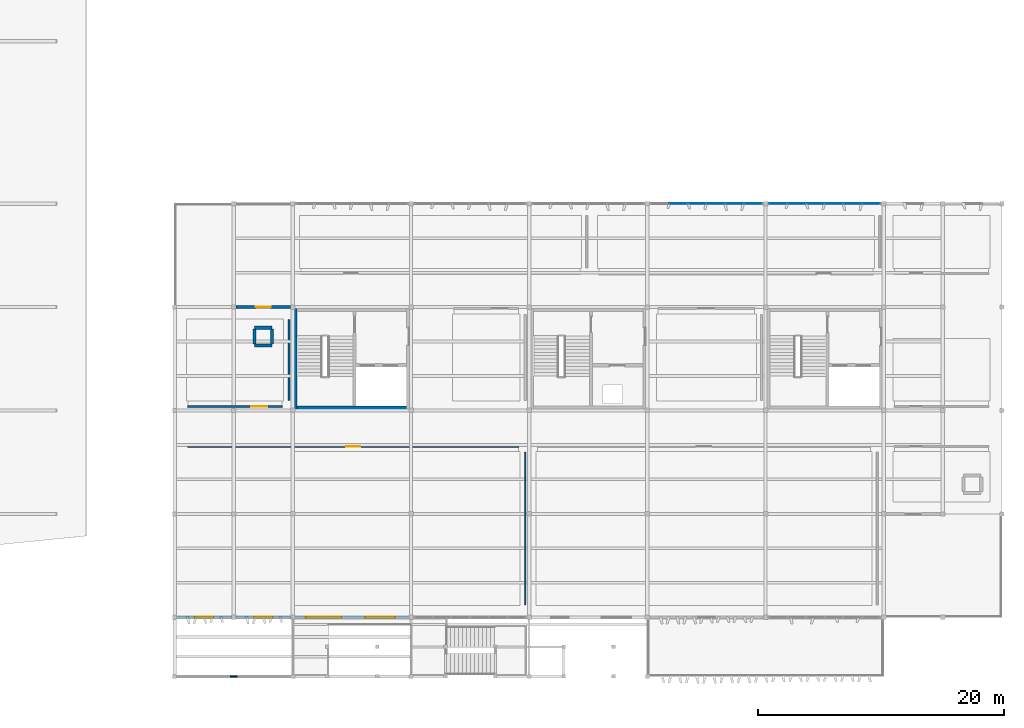
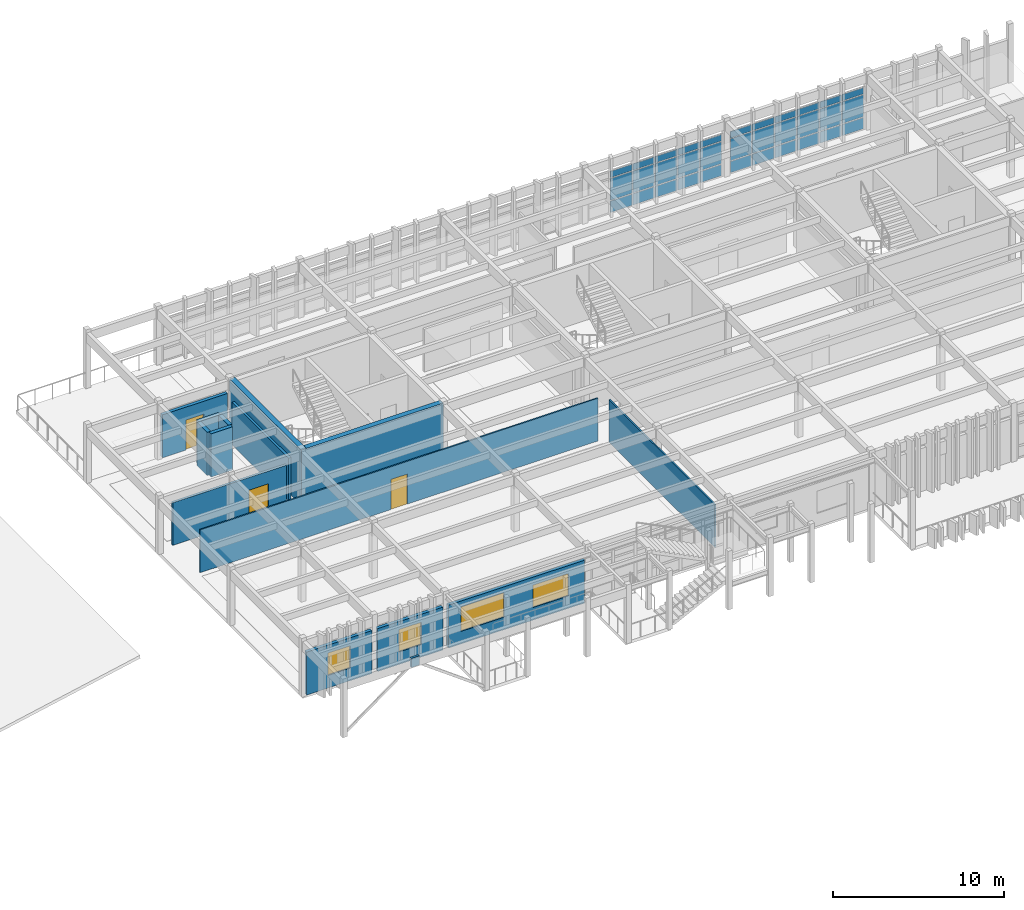
# One storey, part 13 of 18: 34 plates, 14 walls, 4 windows, 3 doors, 7 openings, 2 elements without a shape of their own.
"""IFC4 building model written with IfcOpenShell, lengths in metres."""

from ifc_helpers import new_model, si_unit, direction, frame, frame_2d, origin, origin_2d, place, context, subcontext, project, spatial, rectangle, extrude, material, layer, layer_set, type_object, element, fill, aggregate, save


model = new_model("IFC4")

# Units and contexts
model_context = context("Model", 3, precision=1e-05, world=origin(), true_north=direction((0.0, 1.0)))
body_context = subcontext(model_context, "Body", "Model", "MODEL_VIEW")
ifc_project = project(units=[si_unit("LENGTHUNIT", "METRE"), si_unit("AREAUNIT", "SQUARE_METRE"), si_unit("VOLUMEUNIT", "CUBIC_METRE"), si_unit("PLANEANGLEUNIT", "RADIAN"), si_unit("MASSUNIT", "GRAM", prefix="KILO")], contexts=[model_context])

# Site, building, storey
site_placement = place(None, origin())
site = spatial("IfcSite", under=ifc_project, at=site_placement, CompositionType="ELEMENT")
building_placement = place(site_placement, origin())
building = spatial("IfcBuilding", under=site, at=building_placement, Name="Kolvemor Railside Polytechnic", CompositionType="ELEMENT")
storey_placement = place(building_placement, frame((0.0, 0.0, 18.60009765625)))
storey = spatial("IfcBuildingStorey", under=building, at=storey_placement, Name="L04", CompositionType="ELEMENT", Elevation=18.60009765625)

# Curtain wall, plates
ifc_material_1 = material(Name="Anodised marine aluminium and laminated low-E glass", Category="aluminium")
ifc_layer_1 = layer(ifc_material_1, 0.179931640625, Name="CW-UNIT-STD")
ifc_layer_set_1 = layer_set([ifc_layer_1], Name="Anodised marine aluminium and laminated low-E glass")
curtain_wall_type = type_object("IfcCurtainWallType", Name="CW-UNIT-STD", PredefinedType="USERDEFINED", material=ifc_layer_set_1)
curtain_wall_1_placement = place(storey_placement, origin())
curtain_wall_1 = element("IfcCurtainWall", 1, at=curtain_wall_1_placement, inside=storey, type_object=curtain_wall_type, Name="Curtain Wall L04-134", ObjectType="UNITISED CURTAIN WALL", PredefinedType="USERDEFINED")
ifc_material_2 = material(Name="Hurricane-laminated solar-control low-E glass", Category="glass")
ifc_layer_2 = layer(ifc_material_2, 0.0380859375, Name="CWP-GLZ-09")
ifc_layer_set_2 = layer_set([ifc_layer_2], Name="Hurricane-laminated solar-control low-E glass")
plate_type_1 = type_object("IfcPlateType", Name="CWP-GLZ-09", PredefinedType="CURTAIN_PANEL", material=ifc_layer_set_2)
plate_1_placement = place(storey_placement, frame((104.583740234375, 38.39990234375, 0.06494140625), z_axis=(0.0, 0.0, 1.0), x_axis=(-1.0, 0.0, 0.0)))
plate_1 = element("IfcPlate", 2, at=plate_1_placement, type_object=plate_type_1, Name="CW-STD panel 1.1", PredefinedType="CURTAIN_PANEL", context=body_context, shape_type="SweptSolid", body=[
    extrude(rectangle(XDim=1.422607421875, YDim=0.0380859375, at=origin_2d()), origin(), (0.0, 0.0, 1.0), 0.802490234375),
])
plate_2_placement = place(storey_placement, frame((104.583740234375, 38.39990234375, 0.9326171875), z_axis=(0.0, 0.0, 1.0), x_axis=(-1.0, 0.0, 0.0)))
plate_2 = element("IfcPlate", 3, at=plate_2_placement, type_object=plate_type_1, Name="CW-STD panel 1.2", PredefinedType="CURTAIN_PANEL", context=body_context, shape_type="SweptSolid", body=[
    extrude(rectangle(XDim=1.422607421875, YDim=0.0380859375, at=origin_2d()), origin(), (0.0, 0.0, 1.0), 1.554931640625),
])
plate_3_placement = place(storey_placement, frame((104.583740234375, 38.39990234375, 2.55224609375), z_axis=(0.0, 0.0, 1.0), x_axis=(-1.0, 0.0, 0.0)))
plate_3 = element("IfcPlate", 4, at=plate_3_placement, type_object=plate_type_1, Name="CW-STD panel 1.3", PredefinedType="CURTAIN_PANEL", context=body_context, shape_type="SweptSolid", body=[
    extrude(rectangle(XDim=1.422607421875, YDim=0.0380859375, at=origin_2d()), origin(), (0.0, 0.0, 1.0), 0.452392578125),
])
plate_4_placement = place(storey_placement, frame((103.080078125, 38.39990234375, 0.06494140625), z_axis=(0.0, 0.0, 1.0), x_axis=(-1.0, 0.0, 0.0)))
plate_4 = element("IfcPlate", 5, at=plate_4_placement, type_object=plate_type_1, Name="CW-STD panel 2.1", PredefinedType="CURTAIN_PANEL", context=body_context, shape_type="SweptSolid", body=[
    extrude(rectangle(XDim=1.455078125, YDim=0.0380859375, at=origin_2d()), origin(), (0.0, 0.0, 1.0), 0.802490234375),
])
plate_5_placement = place(storey_placement, frame((103.080078125, 38.39990234375, 0.9326171875), z_axis=(0.0, 0.0, 1.0), x_axis=(-1.0, 0.0, 0.0)))
plate_5 = element("IfcPlate", 6, at=plate_5_placement, type_object=plate_type_1, Name="CW-STD panel 2.2", PredefinedType="CURTAIN_PANEL", context=body_context, shape_type="SweptSolid", body=[
    extrude(rectangle(XDim=1.455078125, YDim=0.0380859375, at=origin_2d()), origin(), (0.0, 0.0, 1.0), 1.554931640625),
])
plate_6_placement = place(storey_placement, frame((103.080078125, 38.39990234375, 2.55224609375), z_axis=(0.0, 0.0, 1.0), x_axis=(-1.0, 0.0, 0.0)))
plate_6 = element("IfcPlate", 7, at=plate_6_placement, type_object=plate_type_1, Name="CW-STD panel 2.3", PredefinedType="CURTAIN_PANEL", context=body_context, shape_type="SweptSolid", body=[
    extrude(rectangle(XDim=1.455078125, YDim=0.0380859375, at=origin_2d()), origin(), (0.0, 0.0, 1.0), 0.452392578125),
])
plate_7_placement = place(storey_placement, frame((101.56005859375, 38.39990234375, 0.06494140625), z_axis=(0.0, 0.0, 1.0), x_axis=(-1.0, 0.0, 0.0)))
plate_7 = element("IfcPlate", 8, at=plate_7_placement, type_object=plate_type_1, Name="CW-STD panel 3.1", PredefinedType="CURTAIN_PANEL", context=body_context, shape_type="SweptSolid", body=[
    extrude(rectangle(XDim=1.455078125, YDim=0.0380859375, at=origin_2d()), origin(), (0.0, 0.0, 1.0), 0.802490234375),
])
plate_8_placement = place(storey_placement, frame((101.56005859375, 38.39990234375, 0.9326171875), z_axis=(0.0, 0.0, 1.0), x_axis=(-1.0, 0.0, 0.0)))
plate_8 = element("IfcPlate", 9, at=plate_8_placement, type_object=plate_type_1, Name="CW-STD panel 3.2", PredefinedType="CURTAIN_PANEL", context=body_context, shape_type="SweptSolid", body=[
    extrude(rectangle(XDim=1.455078125, YDim=0.0380859375, at=origin_2d()), origin(), (0.0, 0.0, 1.0), 1.554931640625),
])
plate_9_placement = place(storey_placement, frame((101.56005859375, 38.39990234375, 2.55224609375), z_axis=(0.0, 0.0, 1.0), x_axis=(-1.0, 0.0, 0.0)))
plate_9 = element("IfcPlate", 10, at=plate_9_placement, type_object=plate_type_1, Name="CW-STD panel 3.3", PredefinedType="CURTAIN_PANEL", context=body_context, shape_type="SweptSolid", body=[
    extrude(rectangle(XDim=1.455078125, YDim=0.0380859375, at=origin_2d()), origin(), (0.0, 0.0, 1.0), 0.452392578125),
])
plate_10_placement = place(storey_placement, frame((100.0400390625, 38.39990234375, 0.06494140625), z_axis=(0.0, 0.0, 1.0), x_axis=(-1.0, 0.0, 0.0)))
plate_10 = element("IfcPlate", 11, at=plate_10_placement, type_object=plate_type_1, Name="CW-STD panel 4.1", PredefinedType="CURTAIN_PANEL", context=body_context, shape_type="SweptSolid", body=[
    extrude(rectangle(XDim=1.455078125, YDim=0.0380859375, at=origin_2d()), origin(), (0.0, 0.0, 1.0), 0.802490234375),
])
plate_11_placement = place(storey_placement, frame((100.0400390625, 38.39990234375, 0.9326171875), z_axis=(0.0, 0.0, 1.0), x_axis=(-1.0, 0.0, 0.0)))
plate_11 = element("IfcPlate", 12, at=plate_11_placement, type_object=plate_type_1, Name="CW-STD panel 4.2", PredefinedType="CURTAIN_PANEL", context=body_context, shape_type="SweptSolid", body=[
    extrude(rectangle(XDim=1.455078125, YDim=0.0380859375, at=origin_2d()), origin(), (0.0, 0.0, 1.0), 1.554931640625),
])
plate_12_placement = place(storey_placement, frame((100.0400390625, 38.39990234375, 2.55224609375), z_axis=(0.0, 0.0, 1.0), x_axis=(-1.0, 0.0, 0.0)))
plate_12 = element("IfcPlate", 13, at=plate_12_placement, type_object=plate_type_1, Name="CW-STD panel 4.3", PredefinedType="CURTAIN_PANEL", context=body_context, shape_type="SweptSolid", body=[
    extrude(rectangle(XDim=1.455078125, YDim=0.0380859375, at=origin_2d()), origin(), (0.0, 0.0, 1.0), 0.452392578125),
])
plate_13_placement = place(storey_placement, frame((98.52001953125, 38.39990234375, 0.06494140625), z_axis=(0.0, 0.0, 1.0), x_axis=(-1.0, 0.0, 0.0)))
plate_13 = element("IfcPlate", 14, at=plate_13_placement, type_object=plate_type_1, Name="CW-STD panel 5.1", PredefinedType="CURTAIN_PANEL", context=body_context, shape_type="SweptSolid", body=[
    extrude(rectangle(XDim=1.455078125, YDim=0.0380859375, at=origin_2d()), origin(), (0.0, 0.0, 1.0), 0.802490234375),
])
plate_14_placement = place(storey_placement, frame((98.52001953125, 38.39990234375, 0.9326171875), z_axis=(0.0, 0.0, 1.0), x_axis=(-1.0, 0.0, 0.0)))
plate_14 = element("IfcPlate", 15, at=plate_14_placement, type_object=plate_type_1, Name="CW-STD panel 5.2", PredefinedType="CURTAIN_PANEL", context=body_context, shape_type="SweptSolid", body=[
    extrude(rectangle(XDim=1.455078125, YDim=0.0380859375, at=origin_2d()), origin(), (0.0, 0.0, 1.0), 1.554931640625),
])
plate_15_placement = place(storey_placement, frame((98.52001953125, 38.39990234375, 2.55224609375), z_axis=(0.0, 0.0, 1.0), x_axis=(-1.0, 0.0, 0.0)))
plate_15 = element("IfcPlate", 16, at=plate_15_placement, type_object=plate_type_1, Name="CW-STD panel 5.3", PredefinedType="CURTAIN_PANEL", context=body_context, shape_type="SweptSolid", body=[
    extrude(rectangle(XDim=1.455078125, YDim=0.0380859375, at=origin_2d()), origin(), (0.0, 0.0, 1.0), 0.452392578125),
])
aggregate(curtain_wall_1, [plate_1, plate_2, plate_3, plate_4, plate_5, plate_6, plate_7, plate_8, plate_9, plate_10, plate_11, plate_12, plate_13, plate_14, plate_15])

curtain_wall_2_placement = place(storey_placement, origin())
curtain_wall_2 = element("IfcCurtainWall", 17, at=curtain_wall_2_placement, inside=storey, type_object=curtain_wall_type, Name="Curtain Wall L04-135", ObjectType="UNITISED CURTAIN WALL", PredefinedType="USERDEFINED")
ifc_material_3 = material(Name="Hurricane-laminated solar-control low-E glass", Category="glass")
ifc_layer_3 = layer(ifc_material_3, 0.0400390625, Name="CWP-GLZ-10")
ifc_layer_set_3 = layer_set([ifc_layer_3], Name="Hurricane-laminated solar-control low-E glass")
plate_type_2 = type_object("IfcPlateType", Name="CWP-GLZ-10", PredefinedType="CURTAIN_PANEL", material=ifc_layer_set_3)
plate_16_placement = place(storey_placement, frame((114.183837890625, 38.39990234375, 0.06494140625), z_axis=(0.0, 0.0, 1.0), x_axis=(-1.0, 0.0, 0.0)))
plate_16 = element("IfcPlate", 18, at=plate_16_placement, type_object=plate_type_2, Name="CW-STD panel 1.1", PredefinedType="CURTAIN_PANEL", context=body_context, shape_type="SweptSolid", body=[
    extrude(rectangle(XDim=1.422607421875, YDim=0.0400390625, at=origin_2d()), origin(), (0.0, 0.0, 1.0), 0.802490234375),
])
plate_17_placement = place(storey_placement, frame((114.183837890625, 38.39990234375, 0.9326171875), z_axis=(0.0, 0.0, 1.0), x_axis=(-1.0, 0.0, 0.0)))
plate_17 = element("IfcPlate", 19, at=plate_17_placement, type_object=plate_type_2, Name="CW-STD panel 1.2", PredefinedType="CURTAIN_PANEL", context=body_context, shape_type="SweptSolid", body=[
    extrude(rectangle(XDim=1.422607421875, YDim=0.0400390625, at=origin_2d()), origin(), (0.0, 0.0, 1.0), 1.554931640625),
])
plate_18_placement = place(storey_placement, frame((114.183837890625, 38.39990234375, 2.55224609375), z_axis=(0.0, 0.0, 1.0), x_axis=(-1.0, 0.0, 0.0)))
plate_18 = element("IfcPlate", 20, at=plate_18_placement, type_object=plate_type_2, Name="CW-STD panel 1.3", PredefinedType="CURTAIN_PANEL", context=body_context, shape_type="SweptSolid", body=[
    extrude(rectangle(XDim=1.422607421875, YDim=0.0400390625, at=origin_2d()), origin(), (0.0, 0.0, 1.0), 0.452392578125),
])
plate_19_placement = place(storey_placement, frame((112.679931640625, 38.39990234375, 0.06494140625), z_axis=(0.0, 0.0, 1.0), x_axis=(-1.0, 0.0, 0.0)))
plate_19 = element("IfcPlate", 21, at=plate_19_placement, type_object=plate_type_2, Name="CW-STD panel 2.1", PredefinedType="CURTAIN_PANEL", context=body_context, shape_type="SweptSolid", body=[
    extrude(rectangle(XDim=1.455078125, YDim=0.0400390625, at=origin_2d()), origin(), (0.0, 0.0, 1.0), 0.802490234375),
])
plate_20_placement = place(storey_placement, frame((112.679931640625, 38.39990234375, 0.9326171875), z_axis=(0.0, 0.0, 1.0), x_axis=(-1.0, 0.0, 0.0)))
plate_20 = element("IfcPlate", 22, at=plate_20_placement, type_object=plate_type_2, Name="CW-STD panel 2.2", PredefinedType="CURTAIN_PANEL", context=body_context, shape_type="SweptSolid", body=[
    extrude(rectangle(XDim=1.455078125, YDim=0.0400390625, at=origin_2d()), origin(), (0.0, 0.0, 1.0), 1.554931640625),
])
plate_21_placement = place(storey_placement, frame((112.679931640625, 38.39990234375, 2.55224609375), z_axis=(0.0, 0.0, 1.0), x_axis=(-1.0, 0.0, 0.0)))
plate_21 = element("IfcPlate", 23, at=plate_21_placement, type_object=plate_type_2, Name="CW-STD panel 2.3", PredefinedType="CURTAIN_PANEL", context=body_context, shape_type="SweptSolid", body=[
    extrude(rectangle(XDim=1.455078125, YDim=0.0400390625, at=origin_2d()), origin(), (0.0, 0.0, 1.0), 0.452392578125),
])
plate_22_placement = place(storey_placement, frame((111.159912109375, 38.39990234375, 0.06494140625), z_axis=(0.0, 0.0, 1.0), x_axis=(-1.0, 0.0, 0.0)))
plate_22 = element("IfcPlate", 24, at=plate_22_placement, type_object=plate_type_2, Name="CW-STD panel 3.1", PredefinedType="CURTAIN_PANEL", context=body_context, shape_type="SweptSolid", body=[
    extrude(rectangle(XDim=1.455078125, YDim=0.0400390625, at=origin_2d()), origin(), (0.0, 0.0, 1.0), 0.802490234375),
])
plate_23_placement = place(storey_placement, frame((111.159912109375, 38.39990234375, 0.9326171875), z_axis=(0.0, 0.0, 1.0), x_axis=(-1.0, 0.0, 0.0)))
plate_23 = element("IfcPlate", 25, at=plate_23_placement, type_object=plate_type_2, Name="CW-STD panel 3.2", PredefinedType="CURTAIN_PANEL", context=body_context, shape_type="SweptSolid", body=[
    extrude(rectangle(XDim=1.455078125, YDim=0.0400390625, at=origin_2d()), origin(), (0.0, 0.0, 1.0), 1.554931640625),
])
plate_24_placement = place(storey_placement, frame((111.159912109375, 38.39990234375, 2.55224609375), z_axis=(0.0, 0.0, 1.0), x_axis=(-1.0, 0.0, 0.0)))
plate_24 = element("IfcPlate", 26, at=plate_24_placement, type_object=plate_type_2, Name="CW-STD panel 3.3", PredefinedType="CURTAIN_PANEL", context=body_context, shape_type="SweptSolid", body=[
    extrude(rectangle(XDim=1.455078125, YDim=0.0400390625, at=origin_2d()), origin(), (0.0, 0.0, 1.0), 0.452392578125),
])
plate_25_placement = place(storey_placement, frame((109.639892578125, 38.39990234375, 0.06494140625), z_axis=(0.0, 0.0, 1.0), x_axis=(-1.0, 0.0, 0.0)))
plate_25 = element("IfcPlate", 27, at=plate_25_placement, type_object=plate_type_2, Name="CW-STD panel 4.1", PredefinedType="CURTAIN_PANEL", context=body_context, shape_type="SweptSolid", body=[
    extrude(rectangle(XDim=1.455078125, YDim=0.0400390625, at=origin_2d()), origin(), (0.0, 0.0, 1.0), 0.802490234375),
])
plate_26_placement = place(storey_placement, frame((109.639892578125, 38.39990234375, 0.9326171875), z_axis=(0.0, 0.0, 1.0), x_axis=(-1.0, 0.0, 0.0)))
plate_26 = element("IfcPlate", 28, at=plate_26_placement, type_object=plate_type_2, Name="CW-STD panel 4.2", PredefinedType="CURTAIN_PANEL", context=body_context, shape_type="SweptSolid", body=[
    extrude(rectangle(XDim=1.455078125, YDim=0.0400390625, at=origin_2d()), origin(), (0.0, 0.0, 1.0), 1.554931640625),
])
plate_27_placement = place(storey_placement, frame((109.639892578125, 38.39990234375, 2.55224609375), z_axis=(0.0, 0.0, 1.0), x_axis=(-1.0, 0.0, 0.0)))
plate_27 = element("IfcPlate", 29, at=plate_27_placement, type_object=plate_type_2, Name="CW-STD panel 4.3", PredefinedType="CURTAIN_PANEL", context=body_context, shape_type="SweptSolid", body=[
    extrude(rectangle(XDim=1.455078125, YDim=0.0400390625, at=origin_2d()), origin(), (0.0, 0.0, 1.0), 0.452392578125),
])
plate_28_placement = place(storey_placement, frame((108.1201171875, 38.39990234375, 0.06494140625), z_axis=(0.0, 0.0, 1.0), x_axis=(-1.0, 0.0, 0.0)))
plate_28 = element("IfcPlate", 30, at=plate_28_placement, type_object=plate_type_2, Name="CW-STD panel 5.1", PredefinedType="CURTAIN_PANEL", context=body_context, shape_type="SweptSolid", body=[
    extrude(rectangle(XDim=1.455078125, YDim=0.0400390625, at=origin_2d()), origin(), (0.0, 0.0, 1.0), 0.802490234375),
])
plate_29_placement = place(storey_placement, frame((108.1201171875, 38.39990234375, 0.9326171875), z_axis=(0.0, 0.0, 1.0), x_axis=(-1.0, 0.0, 0.0)))
plate_29 = element("IfcPlate", 31, at=plate_29_placement, type_object=plate_type_2, Name="CW-STD panel 5.2", PredefinedType="CURTAIN_PANEL", context=body_context, shape_type="SweptSolid", body=[
    extrude(rectangle(XDim=1.455078125, YDim=0.0400390625, at=origin_2d()), origin(), (0.0, 0.0, 1.0), 1.554931640625),
])
plate_30_placement = place(storey_placement, frame((108.1201171875, 38.39990234375, 2.55224609375), z_axis=(0.0, 0.0, 1.0), x_axis=(-1.0, 0.0, 0.0)))
plate_30 = element("IfcPlate", 32, at=plate_30_placement, type_object=plate_type_2, Name="CW-STD panel 5.3", PredefinedType="CURTAIN_PANEL", context=body_context, shape_type="SweptSolid", body=[
    extrude(rectangle(XDim=1.455078125, YDim=0.0400390625, at=origin_2d()), origin(), (0.0, 0.0, 1.0), 0.452392578125),
])
plate_31_placement = place(storey_placement, frame((106.6162109375, 38.39990234375, 0.06494140625), z_axis=(0.0, 0.0, 1.0), x_axis=(-1.0, 0.0, 0.0)))
plate_31 = element("IfcPlate", 33, at=plate_31_placement, type_object=plate_type_2, Name="CW-STD panel 6.1", PredefinedType="CURTAIN_PANEL", context=body_context, shape_type="SweptSolid", body=[
    extrude(rectangle(XDim=1.422607421875, YDim=0.0400390625, at=origin_2d()), origin(), (0.0, 0.0, 1.0), 0.802490234375),
])
plate_32_placement = place(storey_placement, frame((106.6162109375, 38.39990234375, 0.9326171875), z_axis=(0.0, 0.0, 1.0), x_axis=(-1.0, 0.0, 0.0)))
plate_32 = element("IfcPlate", 34, at=plate_32_placement, type_object=plate_type_2, Name="CW-STD panel 6.2", PredefinedType="CURTAIN_PANEL", context=body_context, shape_type="SweptSolid", body=[
    extrude(rectangle(XDim=1.422607421875, YDim=0.0400390625, at=origin_2d()), origin(), (0.0, 0.0, 1.0), 1.554931640625),
])
plate_33_placement = place(storey_placement, frame((106.6162109375, 38.39990234375, 2.55224609375), z_axis=(0.0, 0.0, 1.0), x_axis=(-1.0, 0.0, 0.0)))
plate_33 = element("IfcPlate", 35, at=plate_33_placement, type_object=plate_type_2, Name="CW-STD panel 6.3", PredefinedType="CURTAIN_PANEL", context=body_context, shape_type="SweptSolid", body=[
    extrude(rectangle(XDim=1.422607421875, YDim=0.0400390625, at=origin_2d()), origin(), (0.0, 0.0, 1.0), 0.452392578125),
])
aggregate(curtain_wall_2, [plate_16, plate_17, plate_18, plate_19, plate_20, plate_21, plate_22, plate_23, plate_24, plate_25, plate_26, plate_27, plate_28, plate_29, plate_30, plate_31, plate_32, plate_33])

# Plate
ifc_material_4 = material(Name="Steel S355", Category="steel")
ifc_layer_4 = layer(ifc_material_4, 0.137939453125, Name="PLT-GUSSET-13")
ifc_layer_set_4 = layer_set([ifc_layer_4], Name="Steel S355")
plate_type_3 = type_object("IfcPlateType", Name="PLT-GUSSET-13", PredefinedType="USERDEFINED", material=ifc_layer_set_4)
plate_34_placement = place(storey_placement, frame((62.39990234375, 0.0, 3.3427734375), z_axis=(0.0, 0.0, 1.0), x_axis=(1.0, 0.0, 0.0)))
element("IfcPlate", 36, at=plate_34_placement, inside=storey, type_object=plate_type_3, Name="Brace Chevron Gusset Plate GP-BR29", ObjectType="GUSSET PLATE", PredefinedType="USERDEFINED", context=body_context, shape_type="SweptSolid", body=[
    extrude(rectangle(XDim=0.534912109375, YDim=0.137939453125, at=origin_2d()), origin(), (0.0, 0.0, 1.0), 0.654052734375),
])

# Walls
ifc_material_5 = material(Name="Concrete C40/50", Category="concrete")
ifc_layer_5 = layer(ifc_material_5, 0.35009765625, Name="WL-CORE-350")
ifc_layer_set_5 = layer_set([ifc_layer_5], Name="Concrete C40/50")
wall_type_1 = type_object("IfcWallType", Name="WL-CORE-350", PredefinedType="SHEAR", material=ifc_layer_set_5)
wall_1_placement = place(storey_placement, frame((67.199951171875, 21.77490234375, 0.0), z_axis=(0.0, 0.0, 1.0), x_axis=(1.0, 0.0, 0.0)))
element("IfcWall", 37, at=wall_1_placement, inside=storey, type_object=wall_type_1, Name="CORE-1 South Core Wall L04", PredefinedType="SHEAR", context=body_context, shape_type="SweptSolid", body=[
    extrude(rectangle(XDim=9.60009765625, YDim=0.35009765625, at=frame_2d((4.800048828125, 0.0))), origin(), (0.0, 0.0, 1.0), 3.969970703125),
])
wall_2_placement = place(storey_placement, frame((67.375, 21.60009765625, 0.0), z_axis=(0.0, 0.0, 1.0), x_axis=(0.0, 1.0, 0.0)))
element("IfcWall", 38, at=wall_2_placement, inside=storey, type_object=wall_type_1, Name="CORE-1 West Core Wall L04", PredefinedType="SHEAR", context=body_context, shape_type="SweptSolid", body=[
    extrude(rectangle(XDim=8.39990234375, YDim=0.35009765625, at=frame_2d((4.199951171875, 0.0))), origin(), (0.0, 0.0, 1.0), 3.969970703125),
])

# Wall, opening, window
ifc_material_6 = material(Name="Cross-laminated timber CLT E1", Category="wood")
ifc_layer_6 = layer(ifc_material_6, 0.22509765625, Name="WL-EXT-TM-225")
ifc_layer_set_6 = layer_set([ifc_layer_6], Name="Cross-laminated timber CLT E1")
wall_type_2 = type_object("IfcWallType", Name="WL-EXT-TM-225", PredefinedType="SOLIDWALL", material=ifc_layer_set_6)
wall_3_placement = place(storey_placement, frame((57.800048828125, 4.800048828125, 0.0), z_axis=(0.0, 0.0, 1.0), x_axis=(1.0, 0.0, 0.0)))
wall_3 = element("IfcWall", 39, at=wall_3_placement, inside=storey, type_object=wall_type_2, Name="Exterior Wall L04-0133", PredefinedType="SOLIDWALL", context=body_context, shape_type="SweptSolid", body=[
    extrude(rectangle(XDim=4.39990234375, YDim=0.22509765625, at=frame_2d((2.199951171875, 0.0))), origin(), (0.0, 0.0, 1.0), 3.06982421875),
])
opening_1_placement = place(wall_3_placement, frame((1.449951171875, 0.0, 0.89990234375)))
opening_1 = element("IfcOpeningElement", 40, at=opening_1_placement, cuts=wall_3, Name="Opening WN-STU4", PredefinedType="OPENING", context=body_context, shape_type="SweptSolid", body=[
    extrude(rectangle(XDim=1.5, YDim=1.60009765625, at=frame_2d((0.75, 0.800048828125))), frame((0.0, 0.12255859375, 0.0), z_axis=(0.0, -1.0, 0.0), x_axis=(1.0, 0.0, 0.0)), (0.0, 0.0, 1.0), 0.2451171875),
])
ifc_material_7 = material(Name="Hurricane-laminated thermally broken aluminium window", Category="aluminium")
window_type_1 = type_object("IfcWindowType", Name="WN-STU-150x160", PartitioningType="SINGLE_PANEL", PredefinedType="WINDOW", material=ifc_material_7)
window_1_placement = place(opening_1_placement, origin())
window_1 = element("IfcWindow", 41, at=window_1_placement, inside=storey, type_object=window_type_1, Name="Window L04-0142", OverallHeight=1.60009765625, OverallWidth=1.5, PartitioningType="SINGLE_PANEL", PredefinedType="WINDOW", context=body_context, shape_type="SweptSolid", body=[
    extrude(rectangle(XDim=1.5, YDim=1.60009765625, at=frame_2d((0.75, 0.800048828125))), frame((0.0, 0.030029296875, 0.0), z_axis=(0.0, -1.0, 0.0), x_axis=(1.0, 0.0, 0.0)), (0.0, 0.0, 1.0), 0.06005859375),
])
fill(opening_1, window_1)

wall_4_placement = place(storey_placement, frame((62.60009765625, 4.800048828125, 0.0), z_axis=(0.0, 0.0, 1.0), x_axis=(1.0, 0.0, 0.0)))
wall_4 = element("IfcWall", 42, at=wall_4_placement, inside=storey, type_object=wall_type_2, Name="Exterior Wall L04-0134", PredefinedType="SOLIDWALL", context=body_context, shape_type="SweptSolid", body=[
    extrude(rectangle(XDim=4.39990234375, YDim=0.22509765625, at=frame_2d((2.199951171875, 0.0))), origin(), (0.0, 0.0, 1.0), 3.06982421875),
])
opening_2_placement = place(wall_4_placement, frame((1.449951171875, 0.0, 0.89990234375)))
opening_2 = element("IfcOpeningElement", 43, at=opening_2_placement, cuts=wall_4, Name="Opening WN-STU4", PredefinedType="OPENING", context=body_context, shape_type="SweptSolid", body=[
    extrude(rectangle(XDim=1.5, YDim=1.60009765625, at=frame_2d((0.75, 0.800048828125))), frame((0.0, 0.12255859375, 0.0), z_axis=(0.0, -1.0, 0.0), x_axis=(1.0, 0.0, 0.0)), (0.0, 0.0, 1.0), 0.2451171875),
])
window_2_placement = place(opening_2_placement, origin())
window_2 = element("IfcWindow", 44, at=window_2_placement, inside=storey, type_object=window_type_1, Name="Window L04-0143", OverallHeight=1.60009765625, OverallWidth=1.5, PartitioningType="SINGLE_PANEL", PredefinedType="WINDOW", context=body_context, shape_type="SweptSolid", body=[
    extrude(rectangle(XDim=1.5, YDim=1.60009765625, at=frame_2d((0.75, 0.800048828125))), frame((0.0, 0.030029296875, 0.0), z_axis=(0.0, -1.0, 0.0), x_axis=(1.0, 0.0, 0.0)), (0.0, 0.0, 1.0), 0.06005859375),
])
fill(opening_2, window_2)

# Wall, openings, windows
wall_5_placement = place(storey_placement, frame((67.39990234375, 4.800048828125, 0.0), z_axis=(0.0, 0.0, 1.0), x_axis=(1.0, 0.0, 0.0)))
wall_5 = element("IfcWall", 45, at=wall_5_placement, inside=storey, type_object=wall_type_2, Name="Exterior Wall L04-0135", PredefinedType="SOLIDWALL", context=body_context, shape_type="SweptSolid", body=[
    extrude(rectangle(XDim=9.2001953125, YDim=0.22509765625, at=frame_2d((4.60009765625, 0.0))), origin(), (0.0, 0.0, 1.0), 3.06982421875),
])
opening_3_placement = place(wall_5_placement, frame((0.85009765625, 0.0, 0.89990234375)))
opening_3 = element("IfcOpeningElement", 46, at=opening_3_placement, cuts=wall_5, Name="Opening WN-M24", PredefinedType="OPENING", context=body_context, shape_type="SweptSolid", body=[
    extrude(rectangle(XDim=2.89990234375, YDim=1.75, at=frame_2d((1.449951171875, 0.875))), frame((0.0, 0.12255859375, 0.0), z_axis=(0.0, -1.0, 0.0), x_axis=(1.0, 0.0, 0.0)), (0.0, 0.0, 1.0), 0.2451171875),
])
opening_4_placement = place(wall_5_placement, frame((5.699951171875, 0.0, 0.89990234375)))
opening_4 = element("IfcOpeningElement", 47, at=opening_4_placement, cuts=wall_5, Name="Opening WN-STU3", PredefinedType="OPENING", context=body_context, shape_type="SweptSolid", body=[
    extrude(rectangle(XDim=2.39990234375, YDim=1.60009765625, at=frame_2d((1.199951171875, 0.800048828125))), frame((0.0, 0.12255859375, 0.0), z_axis=(0.0, -1.0, 0.0), x_axis=(1.0, 0.0, 0.0)), (0.0, 0.0, 1.0), 0.2451171875),
])
ifc_material_8 = material(Name="Hurricane-laminated thermally broken aluminium window", Category="aluminium")
window_type_2 = type_object("IfcWindowType", Name="WN-MOD-290x175", PartitioningType="DOUBLE_PANEL_VERTICAL", PredefinedType="WINDOW", material=ifc_material_8)
window_3_placement = place(opening_3_placement, origin())
window_3 = element("IfcWindow", 48, at=window_3_placement, inside=storey, type_object=window_type_2, Name="Window L04-0144", OverallHeight=1.75, OverallWidth=2.89990234375, PartitioningType="SINGLE_PANEL", PredefinedType="WINDOW", context=body_context, shape_type="SweptSolid", body=[
    extrude(rectangle(XDim=2.89990234375, YDim=1.75, at=frame_2d((1.449951171875, 0.875))), frame((0.0, 0.030029296875, 0.0), z_axis=(0.0, -1.0, 0.0), x_axis=(1.0, 0.0, 0.0)), (0.0, 0.0, 1.0), 0.06005859375),
])
fill(opening_3, window_3)
ifc_material_9 = material(Name="Hurricane-laminated thermally broken aluminium window", Category="aluminium")
window_type_3 = type_object("IfcWindowType", Name="WN-STU-240x160", PartitioningType="DOUBLE_PANEL_VERTICAL", PredefinedType="WINDOW", material=ifc_material_9)
window_4_placement = place(opening_4_placement, origin())
window_4 = element("IfcWindow", 49, at=window_4_placement, inside=storey, type_object=window_type_3, Name="Window L04-0145", OverallHeight=1.60009765625, OverallWidth=2.39990234375, PartitioningType="SINGLE_PANEL", PredefinedType="WINDOW", context=body_context, shape_type="SweptSolid", body=[
    extrude(rectangle(XDim=2.39990234375, YDim=1.60009765625, at=frame_2d((1.199951171875, 0.800048828125))), frame((0.0, 0.030029296875, 0.0), z_axis=(0.0, -1.0, 0.0), x_axis=(1.0, 0.0, 0.0)), (0.0, 0.0, 1.0), 0.06005859375),
])
fill(opening_4, window_4)

# Wall, opening, door
wall_6_placement = place(storey_placement, frame((67.0, 30.0, 0.0), z_axis=(0.0, 0.0, 1.0), x_axis=(-1.0, 0.0, 0.0)))
wall_6 = element("IfcWall", 50, at=wall_6_placement, inside=storey, type_object=wall_type_2, Name="Exterior Wall L04-0174", PredefinedType="SOLIDWALL", context=body_context, shape_type="SweptSolid", body=[
    extrude(rectangle(XDim=4.39990234375, YDim=0.22509765625, at=frame_2d((2.199951171875, 0.0))), origin(), (0.0, 0.0, 1.0), 3.06982421875),
])
opening_5_placement = place(wall_6_placement, frame((1.60009765625, 0.0, 0.0)))
opening_5 = element("IfcOpeningElement", 51, at=opening_5_placement, cuts=wall_6, Name="Opening D-TER-L04NW", PredefinedType="OPENING", context=body_context, shape_type="SweptSolid", body=[
    extrude(rectangle(XDim=1.199951171875, YDim=2.14990234375, at=frame_2d((0.60009765625, 1.074951171875))), frame((0.0, 0.12255859375, 0.0), z_axis=(0.0, -1.0, 0.0), x_axis=(1.0, 0.0, 0.0)), (0.0, 0.0, 1.0), 0.2451171875),
])
ifc_material_10 = material(Name="Marine-grade thermally broken aluminium and laminated glass door", Category="aluminium")
door_type_1 = type_object("IfcDoorType", Name="DR-TER-120x215", OperationType="NOTDEFINED", PredefinedType="DOOR", material=ifc_material_10)
door_1_placement = place(opening_5_placement, origin())
door_1 = element("IfcDoor", 52, at=door_1_placement, inside=storey, type_object=door_type_1, Name="Exterior Door D-TER-L04NW", OperationType="SINGLE_SWING_RIGHT", OverallHeight=2.14990234375, OverallWidth=1.199951171875, PredefinedType="DOOR", context=body_context, shape_type="SweptSolid", body=[
    extrude(rectangle(XDim=1.199951171875, YDim=2.14990234375, at=frame_2d((0.60009765625, 1.074951171875))), frame((0.0, 0.02490234375, 0.0), z_axis=(0.0, -1.0, 0.0), x_axis=(1.0, 0.0, 0.0)), (0.0, 0.0, 1.0), 0.050048828125),
])
fill(opening_5, door_1)

ifc_material_11 = material(Name="Demountable studio critique screen wall")
ifc_layer_7 = layer(ifc_material_11, 0.10009765625, Name="WL-MOV-100")
ifc_layer_set_7 = layer_set([ifc_layer_7], Name="Demountable studio critique screen wall")
wall_type_3 = type_object("IfcWallType", Name="WL-MOV-100", PredefinedType="MOVABLE", material=ifc_layer_set_7)
wall_7_placement = place(storey_placement, frame((58.64990234375, 18.679931640625, 0.0), z_axis=(0.0, 0.0, 1.0), x_axis=(1.0, 0.0, 0.0)))
wall_7 = element("IfcWall", 53, at=wall_7_placement, inside=storey, type_object=wall_type_3, Name="Partition Wall L04-0191", PredefinedType="MOVABLE", context=body_context, shape_type="SweptSolid", body=[
    extrude(rectangle(XDim=26.900146484375, YDim=0.10009765625, at=frame_2d((13.4501953125, 0.0))), origin(), (0.0, 0.0, 1.0), 3.0498046875),
])
opening_6_placement = place(wall_7_placement, frame((12.889892578125, 0.0, 0.0)))
opening_6 = element("IfcOpeningElement", 54, at=opening_6_placement, cuts=wall_7, Name="Opening D-04108", PredefinedType="OPENING", context=body_context, shape_type="SweptSolid", body=[
    extrude(rectangle(XDim=1.1201171875, YDim=2.14990234375, at=frame_2d((0.56005859375, 1.074951171875))), frame((0.0, 0.06005859375, 0.0), z_axis=(0.0, -1.0, 0.0), x_axis=(1.0, 0.0, 0.0)), (0.0, 0.0, 1.0), 0.1201171875),
])
ifc_material_12 = material(Name="Solid hardwood acoustic door", Category="wood")
door_type_2 = type_object("IfcDoorType", Name="DR-STU-112x215", OperationType="NOTDEFINED", PredefinedType="DOOR", material=ifc_material_12)
door_2_placement = place(opening_6_placement, origin())
door_2 = element("IfcDoor", 55, at=door_2_placement, inside=storey, type_object=door_type_2, Name="Room Door D-04108 (Cantilever South-West Architecture Design Studio)", OperationType="SINGLE_SWING_LEFT", OverallHeight=2.14990234375, OverallWidth=1.1201171875, PredefinedType="DOOR", context=body_context, shape_type="SweptSolid", body=[
    extrude(rectangle(XDim=1.1201171875, YDim=2.14990234375, at=frame_2d((0.56005859375, 1.074951171875))), frame((0.0, 0.02490234375, 0.0), z_axis=(0.0, -1.0, 0.0), x_axis=(1.0, 0.0, 0.0)), (0.0, 0.0, 1.0), 0.050048828125),
])
fill(opening_6, door_2)

# Wall
wall_8_placement = place(storey_placement, frame((86.080078125, 5.800048828125, 0.0), z_axis=(0.0, 0.0, 1.0), x_axis=(0.0, 1.0, 0.0)))
element("IfcWall", 56, at=wall_8_placement, inside=storey, type_object=wall_type_3, Name="Demising Partition L04-0192", PredefinedType="MOVABLE", context=body_context, shape_type="SweptSolid", body=[
    extrude(rectangle(XDim=12.39990234375, YDim=0.10009765625, at=frame_2d((6.199951171875, 0.0))), origin(), (0.0, 0.0, 1.0), 3.0498046875),
])

# Wall, opening, door
ifc_material_13 = material(Name="Fire-rated laboratory corridor partition")
ifc_layer_8 = layer(ifc_material_13, 0.1650390625, Name="WL-PART-165")
ifc_layer_set_8 = layer_set([ifc_layer_8], Name="Fire-rated laboratory corridor partition")
wall_type_4 = type_object("IfcWallType", Name="WL-PART-165", PredefinedType="PARTITIONING", material=ifc_layer_set_8)
wall_9_placement = place(storey_placement, frame((58.64990234375, 21.919921875, 0.0), z_axis=(0.0, 0.0, 1.0), x_axis=(1.0, 0.0, 0.0)))
wall_9 = element("IfcWall", 57, at=wall_9_placement, inside=storey, type_object=wall_type_4, Name="Partition Wall L04-0195", PredefinedType="PARTITIONING", context=body_context, shape_type="SweptSolid", body=[
    extrude(rectangle(XDim=7.7001953125, YDim=0.1650390625, at=frame_2d((3.85009765625, 0.0))), origin(), (0.0, 0.0, 1.0), 3.0498046875),
])
opening_7_placement = place(wall_9_placement, frame((5.159912109375, 0.0, 0.0)))
opening_7 = element("IfcOpeningElement", 58, at=opening_7_placement, cuts=wall_9, Name="Opening D-04110", PredefinedType="OPENING", context=body_context, shape_type="SweptSolid", body=[
    extrude(rectangle(XDim=1.300048828125, YDim=2.14990234375, at=frame_2d((0.64990234375, 1.074951171875))), frame((0.0, 0.092529296875, 0.0), z_axis=(0.0, -1.0, 0.0), x_axis=(1.0, 0.0, 0.0)), (0.0, 0.0, 1.0), 0.18505859375),
])
ifc_material_14 = material(Name="Fire-rated hardwood and brushed stainless-steel door", Category="steel")
door_type_3 = type_object("IfcDoorType", Name="DR-LAB-130x215", OperationType="NOTDEFINED", PredefinedType="DOOR", material=ifc_material_14)
door_3_placement = place(opening_7_placement, origin())
door_3 = element("IfcDoor", 59, at=door_3_placement, inside=storey, type_object=door_type_3, Name="Room Door D-04110 (Marine Sensing and Autonomous Vessels Laboratory)", OperationType="SINGLE_SWING_LEFT", OverallHeight=2.14990234375, OverallWidth=1.300048828125, PredefinedType="DOOR", context=body_context, shape_type="SweptSolid", body=[
    extrude(rectangle(XDim=1.300048828125, YDim=2.14990234375, at=frame_2d((0.64990234375, 1.074951171875))), frame((0.0, 0.02490234375, 0.0), z_axis=(0.0, -1.0, 0.0), x_axis=(1.0, 0.0, 0.0)), (0.0, 0.0, 1.0), 0.050048828125),
])
fill(opening_7, door_3)

# Walls
wall_10_placement = place(storey_placement, frame((66.8798828125, 22.39990234375, 0.0), z_axis=(0.0, 0.0, 1.0), x_axis=(0.0, 1.0, 0.0)))
element("IfcWall", 60, at=wall_10_placement, inside=storey, type_object=wall_type_4, Name="Demising Partition L04-0196", PredefinedType="PARTITIONING", context=body_context, shape_type="SweptSolid", body=[
    extrude(rectangle(XDim=6.60009765625, YDim=0.1650390625, at=frame_2d((3.300048828125, 0.0))), origin(), (0.0, 0.0, 1.0), 3.0498046875),
])
ifc_material_15 = material(Name="Concrete C40/50", Category="concrete")
ifc_layer_9 = layer(ifc_material_15, 0.25, Name="WL-TIER-RC")
ifc_layer_set_9 = layer_set([ifc_layer_9], Name="Concrete C40/50")
wall_type_5 = type_object("IfcWallType", Name="WL-TIER-RC", PredefinedType="SHEAR", material=ifc_layer_set_9)
for number, where, z_axis, x_axis, name in (
    (61, (64.080078125, 26.8798828125, 0.0), (0.0, 0.0, 1.0), (1.0, 0.0, 0.0), "MEP Riser Enclosure Wall L04-80S"),
    (62, (64.080078125, 28.320068359375, 0.0), (0.0, 0.0, 1.0), (1.0, 0.0, 0.0), "MEP Riser Enclosure Wall L04-80N"),
):
    element("IfcWall", number, at=place(storey_placement, frame(where, z_axis=z_axis, x_axis=x_axis)), inside=storey, type_object=wall_type_5, Name=name, PredefinedType="SHEAR", context=body_context, shape_type="SweptSolid", body=[
        extrude(rectangle(XDim=1.43994140625, YDim=0.25, at=frame_2d((0.719970703125, 0.0))), origin(), (0.0, 0.0, 1.0), 3.099853515625),
    ])
for number, where, z_axis, x_axis, name in (
    (63, (64.080078125, 27.0, 0.0), (0.0, 0.0, 1.0), (0.0, 1.0, 0.0), "MEP Riser Enclosure Wall L04-80W"),
    (64, (65.52001953125, 27.0, 0.0), (0.0, 0.0, 1.0), (0.0, 1.0, 0.0), "MEP Riser Enclosure Wall L04-80E"),
):
    element("IfcWall", number, at=place(storey_placement, frame(where, z_axis=z_axis, x_axis=x_axis)), inside=storey, type_object=wall_type_5, Name=name, PredefinedType="SHEAR", context=body_context, shape_type="SweptSolid", body=[
        extrude(rectangle(XDim=1.199951171875, YDim=0.25, at=frame_2d((0.60009765625, 0.0))), origin(), (0.0, 0.0, 1.0), 3.099853515625),
    ])

save(model, "model.ifc")
